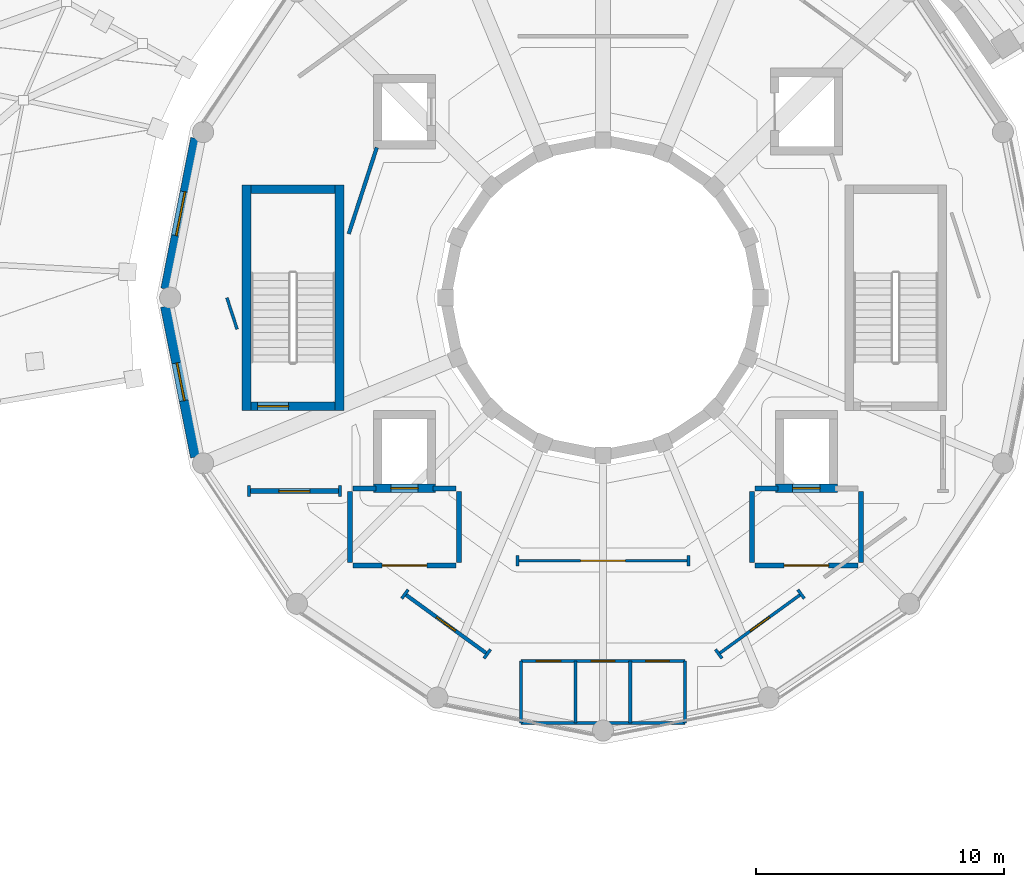
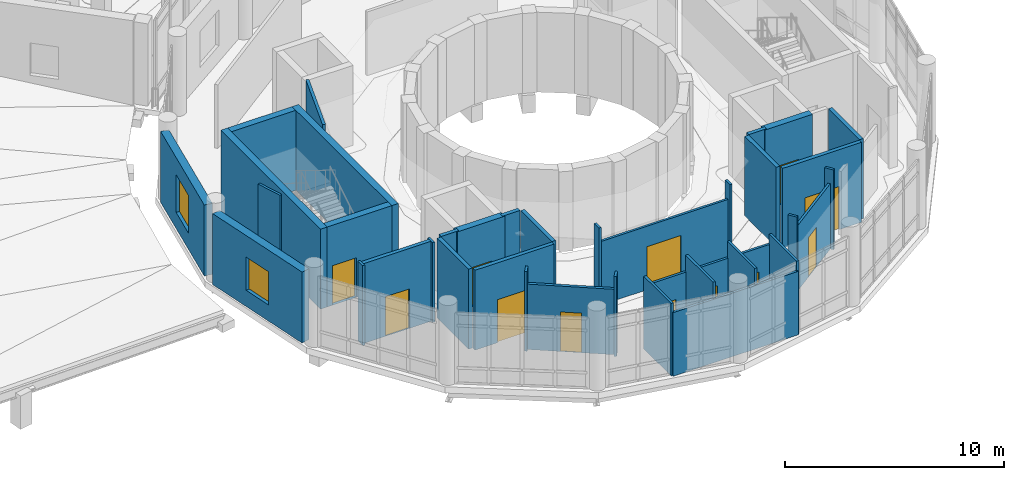
# One storey, part 32 of 49: 37 walls, 12 doors, 2 windows, 14 openings.
"""IFC4 building model written with IfcOpenShell, lengths in metres."""

import ifcopenshell
import ifcopenshell.guid

model = None  # the IFC model being written
_history = None  # IfcOwnerHistory: only IFC2X3 demands one
_inside = {}  # id of a spatial element -> (the spatial element, [elements in it])
_under = {}  # id of a project, library or spatial element -> (it, [spatial elements below it])
_declared = {}  # id of a project -> (the project, [libraries it declares])
_typed = {}  # id of a type object -> (the type object, [elements of that type])
_made_of = {}  # id of a material, layer set ... -> (it, [elements and type objects made of it])


def new_model(schema):
    """Start an empty IFC model of exactly this schema.

    Asked for "IFC4X3", IfcOpenShell would pick the latest addendum, in which some entities
    have other attributes; the version numbers below select the first issue.
    IFC2X3 requires an IfcOwnerHistory on every rooted entity: one is made here for all.
    """
    global model, _history
    if schema == "IFC4X3":
        model = ifcopenshell.file(schema_version=(4, 3, 0, 0))
    else:
        model = ifcopenshell.file(schema=schema)
    _inside.clear()
    _under.clear()
    _declared.clear()
    _typed.clear()
    _made_of.clear()
    _history = None
    if model.schema == "IFC2X3":
        org = make("IfcOrganization", Name="unknown")
        user = make(
            "IfcPersonAndOrganization",
            ThePerson=make("IfcPerson", FamilyName="unknown"),
            TheOrganization=org,
        )
        app = make(
            "IfcApplication",
            ApplicationDeveloper=org,
            Version="unknown",
            ApplicationFullName="unknown",
            ApplicationIdentifier="unknown",
        )
        _history = make(
            "IfcOwnerHistory",
            OwningUser=user,
            OwningApplication=app,
            ChangeAction="ADDED",
            CreationDate=0,
        )
    return model


def make(cls, **values):
    """One entity of the class cls with the attributes given. An attribute that is None is left unset."""
    return model.create_entity(
        cls, **{name: value for name, value in values.items() if value is not None}
    )


def rooted(cls, **values):
    """An entity with a GlobalId (a new one), such as an element, a storey or a relation."""
    return make(cls, GlobalId=ifcopenshell.guid.new(), OwnerHistory=_history, **values)


def si_unit(unit_type, name, prefix=None):
    """IfcSIUnit, for example si_unit("LENGTHUNIT", "METRE", prefix="MILLI")."""
    return make("IfcSIUnit", UnitType=unit_type, Prefix=prefix, Name=name)


def assignment(units):
    """IfcUnitAssignment: the units of a project."""
    return None if units is None else make("IfcUnitAssignment", Units=units)


def point(xyz):
    """IfcCartesianPoint."""
    return None if xyz is None else make("IfcCartesianPoint", Coordinates=xyz)


def direction(xyz):
    """IfcDirection."""
    return None if xyz is None else make("IfcDirection", DirectionRatios=xyz)


def frame(location, z_axis=None, x_axis=None):
    """IfcAxis2Placement3D, a coordinate frame: its origin and axes. An axis left out is left unset."""
    return make(
        "IfcAxis2Placement3D",
        Location=point(location),
        Axis=direction(z_axis),
        RefDirection=direction(x_axis),
    )


def frame_2d(location, x_axis=None):
    """IfcAxis2Placement2D, a coordinate frame in the plane: its origin and x axis."""
    return make(
        "IfcAxis2Placement2D", Location=point(location), RefDirection=direction(x_axis)
    )


def origin():
    """The frame at (0, 0, 0) with its axes left unset."""
    return frame((0.0, 0.0, 0.0))


def place(relative_to, where):
    """IfcLocalPlacement: puts the frame where relative to a parent placement (None: the world)."""
    return make(
        "IfcLocalPlacement", PlacementRelTo=relative_to, RelativePlacement=where
    )


def context(
    kind, dimensions, precision=None, world=None, true_north=None, identifier=None
):
    """IfcGeometricRepresentationContext, for example the 3D "Model" context."""
    return make(
        "IfcGeometricRepresentationContext",
        ContextIdentifier=identifier,
        ContextType=kind,
        CoordinateSpaceDimension=dimensions,
        Precision=precision,
        WorldCoordinateSystem=world,
        TrueNorth=true_north,
    )


def subcontext(parent, identifier, kind, view, scale=None):
    """IfcGeometricRepresentationSubContext, for example "Body" below "Model"."""
    return make(
        "IfcGeometricRepresentationSubContext",
        ContextIdentifier=identifier,
        ContextType=kind,
        ParentContext=parent,
        TargetScale=scale,
        TargetView=view,
    )


def project(units=None, contexts=None):
    """IfcProject with its units and contexts."""
    return rooted(
        "IfcProject",
        Name="project",
        RepresentationContexts=contexts,
        UnitsInContext=assignment(units),
    )


def spatial(cls, under=None, at=None, **own):
    """A site, building, storey or space (cls), placed at a placement, below another one or the project."""
    s = rooted(cls, ObjectPlacement=at, **own)
    if under is not None:
        _under.setdefault(under.id(), (under, []))[1].append(s)
    return s


def profile(cls, at=None, kind="AREA", **sizes):
    """A parametric profile (cls). Its sizes go by their IFC names, for example OverallWidth=200.0."""
    return make(cls, ProfileType=kind, Position=at, **sizes)


def rectangle(**sizes):
    """IfcRectangleProfileDef."""
    return profile("IfcRectangleProfileDef", **sizes)


def extrude(swept, where, along, depth):
    """IfcExtrudedAreaSolid: the profile swept, set in the frame where, extruded along a direction by depth."""
    return make(
        "IfcExtrudedAreaSolid",
        SweptArea=swept,
        Position=where,
        ExtrudedDirection=direction(along),
        Depth=depth,
    )


def shape(context_of_items, identifier, shape_type, items):
    """IfcShapeRepresentation: the items that make up one representation, for example the "Body"."""
    return make(
        "IfcShapeRepresentation",
        ContextOfItems=context_of_items,
        RepresentationIdentifier=identifier,
        RepresentationType=shape_type,
        Items=items,
    )


def material(Name=None, Category=None):
    """IfcMaterial."""
    return make("IfcMaterial", Name=Name, Category=Category)


def layer(
    of_material, thickness, ventilated=None, Name=None, Category=None, Priority=None
):
    """IfcMaterialLayer: one layer of a wall or slab, of a material (None: an air gap)."""
    return make(
        "IfcMaterialLayer",
        Material=of_material,
        LayerThickness=thickness,
        IsVentilated=ventilated,
        Name=Name,
        Category=Category,
        Priority=Priority,
    )


def layer_set(layers, Name=None):
    """IfcMaterialLayerSet."""
    return make("IfcMaterialLayerSet", MaterialLayers=layers, LayerSetName=Name)


def made_of(thing, what):
    """Note that an element or type object is made of a material, layer set ...; save() writes the relation."""
    if what is not None:
        _made_of.setdefault(what.id(), (what, []))[1].append(thing)
    return thing


def type_object(cls, material=None, **own):
    """A type object (cls), such as IfcWallType, which elements share."""
    return made_of(rooted(cls, **own), material)


def element(
    cls,
    number,
    at=None,
    inside=None,
    cuts=None,
    type_object=None,
    material=None,
    context=None,
    identifier="Body",
    shape_type=None,
    held_by="IfcProductDefinitionShape",
    body=None,
    shapes=None,
    **own,
):
    """One element of the class cls, such as IfcWall. Its Tag is "e" and its number.

    at: its placement. inside: the storey or other place that contains it. cuts: it is an
    opening in that element (IfcRelVoidsElement). A single representation is given by context,
    identifier, shape_type and body (its items); several are given by shapes. held_by: the class
    of the entity that holds the representations. save() writes the other relations.
    """
    e = rooted(cls, Tag="e%d" % number, ObjectPlacement=at, **own)
    if body is not None:
        shapes = [shape(context, identifier, shape_type, body)]
    if shapes is not None:
        e.Representation = make(held_by, Representations=shapes)
    if inside is not None:
        _inside.setdefault(inside.id(), (inside, []))[1].append(e)
    if cuts is not None:
        rooted(
            "IfcRelVoidsElement", RelatingBuildingElement=cuts, RelatedOpeningElement=e
        )
    if type_object is not None:
        _typed.setdefault(type_object.id(), (type_object, []))[1].append(e)
    return made_of(e, material)


def fill(opening, filler):
    """IfcRelFillsElement: the door or window that sits in an opening."""
    return rooted(
        "IfcRelFillsElement",
        RelatingOpeningElement=opening,
        RelatedBuildingElement=filler,
    )


def aggregate(whole, parts):
    """IfcRelAggregates: a whole, such as a stair, and the parts it consists of."""
    return rooted("IfcRelAggregates", RelatingObject=whole, RelatedObjects=parts)


def save(model, path):
    """Write the relations noted so far, then the file.

    IfcRelAggregates (storeys below a building ...), IfcRelContainedInSpatialStructure (elements
    in a storey), IfcRelDefinesByType, IfcRelAssociatesMaterial and IfcRelDeclares: one each for
    every whole, place, type object, material and project.
    """
    for whole, parts in _under.values():
        aggregate(whole, parts)
    for where, things in _inside.values():
        rooted(
            "IfcRelContainedInSpatialStructure",
            RelatedElements=things,
            RelatingStructure=where,
        )
    for kind, things in _typed.values():
        rooted("IfcRelDefinesByType", RelatedObjects=things, RelatingType=kind)
    for what, things in _made_of.values():
        rooted("IfcRelAssociatesMaterial", RelatedObjects=things, RelatingMaterial=what)
    for by, libraries in _declared.values():
        rooted("IfcRelDeclares", RelatingContext=by, RelatedDefinitions=libraries)
    model.write(path)


model = new_model("IFC4")

# Units and contexts
model_context = context("Model", 3, precision=1e-05, world=origin(), true_north=direction((0.0, 1.0)))
body_context = subcontext(model_context, "Body", "Model", "MODEL_VIEW")
ifc_project = project(units=[si_unit("LENGTHUNIT", "METRE"), si_unit("AREAUNIT", "SQUARE_METRE"), si_unit("VOLUMEUNIT", "CUBIC_METRE"), si_unit("PLANEANGLEUNIT", "RADIAN"), si_unit("MASSUNIT", "GRAM", prefix="KILO")], contexts=[model_context])

# Site, building, storey
site_placement = place(None, origin())
site = spatial("IfcSite", under=ifc_project, at=site_placement, CompositionType="ELEMENT")
building_placement = place(site_placement, origin())
building = spatial("IfcBuilding", under=site, at=building_placement, Name="Soyqirgoq Riverine Aquarium", CompositionType="ELEMENT")
storey_placement = place(building_placement, frame((0.0, 0.0, 15.0)))
storey = spatial("IfcBuildingStorey", under=building, at=storey_placement, Name="L04", CompositionType="ELEMENT", Elevation=15.0)

# Wall, opening, door
ifc_material_1 = material(Name="Concrete C40/50", Category="concrete")
ifc_layer_1 = layer(ifc_material_1, 0.35009765625)
ifc_layer_set_1 = layer_set([ifc_layer_1], Name="Concrete C40/50")
wall_type_1 = type_object("IfcWallType", Name="CoreShearWall_350_C40", PredefinedType="SHEAR", material=ifc_layer_set_1)
wall_1_placement = place(storey_placement, frame((62.945068359375, 49.320068359375, 0.0), z_axis=(0.0, 0.0, 1.0), x_axis=(1.0, 0.0, 0.0)))
wall_1 = element("IfcWall", 1, at=wall_1_placement, inside=storey, type_object=wall_type_1, Name="Lift FFL-1 Shaft Wall L04 1", PredefinedType="SHEAR", context=body_context, shape_type="SweptSolid", body=[
    extrude(rectangle(XDim=2.510009765625, YDim=0.35009765625, at=frame_2d((1.2548828125, 0.0))), origin(), (0.0, 0.0, 1.0), 4.449951171875),
])
opening_1_placement = place(wall_1_placement, frame((0.705078125, 0.0, 0.0)))
opening_1 = element("IfcOpeningElement", 2, at=opening_1_placement, cuts=wall_1, Name="Opening LD-01", PredefinedType="OPENING", context=body_context, shape_type="SweptSolid", body=[
    extrude(rectangle(XDim=1.10009765625, YDim=2.199951171875, at=frame_2d((0.550048828125, 1.10009765625))), frame((0.0, 0.18505859375, 0.0), z_axis=(0.0, -1.0, 0.0), x_axis=(1.0, 0.0, 0.0)), (0.0, 0.0, 1.0), 0.3701171875),
])
ifc_material_2 = material(Name="Brushed stainless steel telescopic lift landing door", Category="steel")
door_type_1 = type_object("IfcDoorType", Name="LiftLandingDoor_1100x2200", OperationType="SLIDING_TO_LEFT", PredefinedType="DOOR", material=ifc_material_2)
door_1_placement = place(opening_1_placement, origin())
door_1 = element("IfcDoor", 3, at=door_1_placement, inside=storey, type_object=door_type_1, Name="LD-FFL-1-L04 Lift FFL-1 L04 Sliding Landing Door", OperationType="SLIDING_TO_LEFT", OverallHeight=2.199951171875, OverallWidth=1.10009765625, PredefinedType="DOOR", context=body_context, shape_type="SweptSolid", body=[
    extrude(rectangle(XDim=1.10009765625, YDim=2.199951171875, at=frame_2d((0.550048828125, 1.10009765625))), frame((0.0, 0.02490234375, 0.0), z_axis=(0.0, -1.0, 0.0), x_axis=(1.0, 0.0, 0.0)), (0.0, 0.0, 1.0), 0.050048828125),
])
fill(opening_1, door_1)

# Walls
wall_2_placement = place(storey_placement, frame((45.375, 52.449951171875, 0.0), z_axis=(0.0, 0.0, 1.0), x_axis=(0.0, 1.0, 0.0)))
element("IfcWall", 4, at=wall_2_placement, inside=storey, type_object=wall_type_1, Name="CORE-1B L04 Stair Core Shear Wall SIDE1", PredefinedType="SHEAR", context=body_context, shape_type="SweptSolid", body=[
    extrude(rectangle(XDim=9.10009765625, YDim=0.35009765625, at=frame_2d((4.550048828125, 0.0))), origin(), (0.0, 0.0, 1.0), 4.449951171875),
])
wall_3_placement = place(storey_placement, frame((45.199951171875, 61.375, 0.0), z_axis=(0.0, 0.0, 1.0), x_axis=(-1.0, 0.0, 0.0)))
element("IfcWall", 5, at=wall_3_placement, inside=storey, type_object=wall_type_1, Name="CORE-1B L04 Stair Core Shear Wall BACK", PredefinedType="SHEAR", context=body_context, shape_type="SweptSolid", body=[
    extrude(rectangle(XDim=3.39990234375, YDim=0.35009765625, at=frame_2d((1.699951171875, 0.0))), origin(), (0.0, 0.0, 1.0), 4.449951171875),
])
wall_4_placement = place(storey_placement, frame((41.625, 61.550048828125, 0.0), z_axis=(0.0, 0.0, 1.0), x_axis=(0.0, -1.0, 0.0)))
element("IfcWall", 6, at=wall_4_placement, inside=storey, type_object=wall_type_1, Name="CORE-1B L04 Stair Core Shear Wall SIDE2", PredefinedType="SHEAR", context=body_context, shape_type="SweptSolid", body=[
    extrude(rectangle(XDim=9.10009765625, YDim=0.35009765625, at=frame_2d((4.550048828125, 0.0))), origin(), (0.0, 0.0, 1.0), 4.449951171875),
])

# Wall, opening, door
wall_5_placement = place(storey_placement, frame((41.800048828125, 52.625, 0.0), z_axis=(0.0, 0.0, 1.0), x_axis=(1.0, 0.0, 0.0)))
wall_5 = element("IfcWall", 7, at=wall_5_placement, inside=storey, type_object=wall_type_1, Name="CORE-1B L04 Stair Core Shear Wall FRONT", PredefinedType="SHEAR", context=body_context, shape_type="SweptSolid", body=[
    extrude(rectangle(XDim=3.39990234375, YDim=0.35009765625, at=frame_2d((1.699951171875, 0.0))), origin(), (0.0, 0.0, 1.0), 4.449951171875),
])
opening_2_placement = place(wall_5_placement, frame((0.280029296875, 0.0, 0.0)))
opening_2 = element("IfcOpeningElement", 8, at=opening_2_placement, cuts=wall_5, Name="Opening FD-01", PredefinedType="OPENING", context=body_context, shape_type="SweptSolid", body=[
    extrude(rectangle(XDim=1.25, YDim=2.199951171875, at=frame_2d((0.625, 1.10009765625))), frame((0.0, 0.18505859375, 0.0), z_axis=(0.0, -1.0, 0.0), x_axis=(1.0, 0.0, 0.0)), (0.0, 0.0, 1.0), 0.3701171875),
])
ifc_material_3 = material(Name="Galvanised steel fire-resisting stair door", Category="steel")
door_type_2 = type_object("IfcDoorType", Name="StairFireDoor_1250x2200_EI90", OperationType="NOTDEFINED", PredefinedType="DOOR", material=ifc_material_3)
door_2_placement = place(opening_2_placement, origin())
door_2 = element("IfcDoor", 9, at=door_2_placement, inside=storey, type_object=door_type_2, Name="DR-ST-9-L04 ST-9 L04 Fire-Rated Stairwell Door", OperationType="SINGLE_SWING_LEFT", OverallHeight=2.199951171875, OverallWidth=1.25, PredefinedType="DOOR", context=body_context, shape_type="SweptSolid", body=[
    extrude(rectangle(XDim=1.25, YDim=2.199951171875, at=frame_2d((0.625, 1.10009765625))), frame((0.0, 0.02490234375, 0.0), z_axis=(0.0, -1.0, 0.0), x_axis=(1.0, 0.0, 0.0)), (0.0, 0.0, 1.0), 0.050048828125),
])
fill(opening_2, door_2)

wall_6_placement = place(storey_placement, frame((46.7451171875, 49.320068359375, 0.0), z_axis=(0.0, 0.0, 1.0), x_axis=(1.0, 0.0, 0.0)))
wall_6 = element("IfcWall", 10, at=wall_6_placement, inside=storey, type_object=wall_type_1, Name="Lift FFL-2 Shaft Wall L04 1", PredefinedType="SHEAR", context=body_context, shape_type="SweptSolid", body=[
    extrude(rectangle(XDim=2.509765625, YDim=0.35009765625, at=frame_2d((1.2548828125, 0.0))), origin(), (0.0, 0.0, 1.0), 4.449951171875),
])
opening_3_placement = place(wall_6_placement, frame((0.705078125, 0.0, 0.0)))
opening_3 = element("IfcOpeningElement", 11, at=opening_3_placement, cuts=wall_6, Name="Opening LD-01", PredefinedType="OPENING", context=body_context, shape_type="SweptSolid", body=[
    extrude(rectangle(XDim=1.10009765625, YDim=2.199951171875, at=frame_2d((0.550048828125, 1.10009765625))), frame((0.0, 0.18505859375, 0.0), z_axis=(0.0, -1.0, 0.0), x_axis=(1.0, 0.0, 0.0)), (0.0, 0.0, 1.0), 0.3701171875),
])
door_3_placement = place(opening_3_placement, origin())
door_3 = element("IfcDoor", 12, at=door_3_placement, inside=storey, type_object=door_type_1, Name="LD-FFL-2-L04 Lift FFL-2 L04 Sliding Landing Door", OperationType="SLIDING_TO_LEFT", OverallHeight=2.199951171875, OverallWidth=1.10009765625, PredefinedType="DOOR", context=body_context, shape_type="SweptSolid", body=[
    extrude(rectangle(XDim=1.10009765625, YDim=2.199951171875, at=frame_2d((0.550048828125, 1.10009765625))), frame((0.0, 0.02490234375, 0.0), z_axis=(0.0, -1.0, 0.0), x_axis=(1.0, 0.0, 0.0)), (0.0, 0.0, 1.0), 0.050048828125),
])
fill(opening_3, door_3)

ifc_material_4 = material(Name="Lightweight steel-stud gypsum partition", Category="steel")
ifc_layer_2 = layer(ifc_material_4, 0.1201171875)
ifc_layer_set_2 = layer_set([ifc_layer_2], Name="Lightweight steel-stud gypsum partition")
wall_type_2 = type_object("IfcWallType", Name="PartitionWall_120_Std", PredefinedType="PARTITIONING", material=ifc_layer_set_2)
wall_7_placement = place(storey_placement, frame((59.445556640625, 46.395751953125, 0.0), z_axis=(0.0, 0.0, 1.0), x_axis=(-1.0, 0.0, 0.0)))
wall_7 = element("IfcWall", 13, at=wall_7_placement, inside=storey, type_object=wall_type_2, Name="Ocean Drum Circulation Corridor Partition Wall", PredefinedType="PARTITIONING", context=body_context, shape_type="SweptSolid", body=[
    extrude(rectangle(XDim=6.89111328125, YDim=0.1201171875, at=frame_2d((3.445556640625, 0.0))), origin(), (0.0, 0.0, 1.0), 3.5400390625),
])
opening_4_placement = place(wall_7_placement, frame((2.54541015625, 0.0, 0.0)))
opening_4 = element("IfcOpeningElement", 14, at=opening_4_placement, cuts=wall_7, Name="Opening ID-01", PredefinedType="OPENING", context=body_context, shape_type="SweptSolid", body=[
    extrude(rectangle(XDim=1.800048828125, YDim=2.39990234375, at=frame_2d((0.89990234375, 1.199951171875))), frame((0.0, 0.070068359375, 0.0), z_axis=(0.0, -1.0, 0.0), x_axis=(1.0, 0.0, 0.0)), (0.0, 0.0, 1.0), 0.14013671875),
])
ifc_material_5 = material(Name="Acoustic timber-framed glazed gallery double door", Category="wood")
door_type_3 = type_object("IfcDoorType", Name="GalleryDoubleDoor_1800x2400", OperationType="DOUBLE_DOOR_SINGLE_SWING", PredefinedType="DOOR", material=ifc_material_5)
door_4_placement = place(opening_4_placement, origin())
door_4 = element("IfcDoor", 15, at=door_4_placement, inside=storey, type_object=door_type_3, Name="IDR-V1-L04-0048 Deep Reef Viewing Gallery Door", OperationType="DOUBLE_DOOR_SINGLE_SWING", OverallHeight=2.39990234375, OverallWidth=1.800048828125, PredefinedType="DOOR", context=body_context, shape_type="SweptSolid", body=[
    extrude(rectangle(XDim=1.800048828125, YDim=2.39990234375, at=frame_2d((0.89990234375, 1.199951171875))), frame((0.0, 0.02490234375, 0.0), z_axis=(0.0, -1.0, 0.0), x_axis=(1.0, 0.0, 0.0)), (0.0, 0.0, 1.0), 0.050048828125),
])
fill(opening_4, door_4)

wall_8_placement = place(storey_placement, frame((60.666259765625, 42.638916015625, 0.0), z_axis=(0.0, 0.0, 1.0), x_axis=(0.808993389874, 0.587817739729, 0.0)))
wall_8 = element("IfcWall", 16, at=wall_8_placement, inside=storey, type_object=wall_type_2, Name="Ocean Drum Circulation Corridor Partition Wall", PredefinedType="PARTITIONING", context=body_context, shape_type="SweptSolid", body=[
    extrude(rectangle(XDim=4.101806640625, YDim=0.1201171875, at=frame_2d((2.05078125, 0.0))), origin(), (0.0, 0.0, 1.0), 3.639892578125),
])
opening_5_placement = place(wall_8_placement, frame((1.575927734375, 0.0, 0.0)))
opening_5 = element("IfcOpeningElement", 17, at=opening_5_placement, cuts=wall_8, Name="Opening ID-06", PredefinedType="OPENING", context=body_context, shape_type="SweptSolid", body=[
    extrude(rectangle(XDim=0.949951171875, YDim=2.199951171875, at=frame_2d((0.47509765625, 1.10009765625))), frame((0.0, 0.070068359375, 0.0), z_axis=(0.0, -1.0, 0.0), x_axis=(1.0, 0.0, 0.0)), (0.0, 0.0, 1.0), 0.14013671875),
])
ifc_material_6 = material(Name="Moisture-resistant HPL washroom door", Category="wood")
door_type_4 = type_object("IfcDoorType", Name="WCDoor_950x2200", OperationType="NOTDEFINED", PredefinedType="DOOR", material=ifc_material_6)
door_5_placement = place(opening_5_placement, origin())
door_5 = element("IfcDoor", 18, at=door_5_placement, inside=storey, type_object=door_type_4, Name="IDR-V1-L04-0050 Ocean Drum Circulation Corridor Access Door", OperationType="SINGLE_SWING_LEFT", OverallHeight=2.199951171875, OverallWidth=0.949951171875, PredefinedType="DOOR", context=body_context, shape_type="SweptSolid", body=[
    extrude(rectangle(XDim=0.949951171875, YDim=2.199951171875, at=frame_2d((0.47509765625, 1.10009765625))), frame((0.0, 0.02490234375, 0.0), z_axis=(0.0, -1.0, 0.0), x_axis=(1.0, 0.0, 0.0)), (0.0, 0.0, 1.0), 0.050048828125),
])
fill(opening_5, door_5)

# Walls
wall_9_placement = place(storey_placement, frame((41.25, 55.728515625, 0.0), z_axis=(0.0, 0.0, 1.0), x_axis=(-0.30898696848, 0.951066271776, 0.0)))
element("IfcWall", 19, at=wall_9_placement, inside=storey, type_object=wall_type_2, Name="Ocean Tank Upper Panorama Hall Partition Wall", PredefinedType="PARTITIONING", context=body_context, shape_type="SweptSolid", body=[
    extrude(rectangle(XDim=1.3369140625, YDim=0.1201171875, at=frame_2d((0.66845703125, 0.0))), origin(), (0.0, 0.0, 1.0), 4.449951171875),
])
for number, where, z_axis, x_axis, name in (
    (20, (41.723388671875, 48.97998046875, 0.0), (0.0, 0.0, 1.0), (0.0, 1.0, 0.0), "V1 L04 Jamb Return Pier"),
    (21, (45.39990234375, 48.97998046875, 0.0), (0.0, 0.0, 1.0), (0.0, 1.0, 0.0), "V1 L04 Jamb Return Pier"),
    (22, (59.445556640625, 46.61572265625, 0.0), (0.0, 0.0, 1.0), (0.0, -1.0, 0.0), "V1 L04 Jamb Return Pier"),
    (23, (52.554443359375, 46.61572265625, 0.0), (0.0, 0.0, 1.0), (0.0, -1.0, 0.0), "V1 L04 Jamb Return Pier"),
    (24, (47.885986328125, 44.8720703125, 0.0), (0.0, 0.0, 1.0), (0.587676645097, 0.809095890984, 0.0), "V1 L04 Jamb Return Pier"),
    (25, (51.20458984375, 42.4609375, 0.0), (0.0, 0.0, 1.0), (0.587676645097, 0.809095890984, 0.0), "V1 L04 Jamb Return Pier"),
    (26, (60.79541015625, 42.4609375, 0.0), (0.0, 0.0, 1.0), (-0.587676645097, 0.809095890984, 0.0), "V1 L04 Jamb Return Pier"),
    (27, (64.114013671875, 44.8720703125, 0.0), (0.0, 0.0, 1.0), (-0.587676645097, 0.809095890984, 0.0), "V1 L04 Jamb Return Pier"),
):
    element("IfcWall", number, at=place(storey_placement, frame(where, z_axis=z_axis, x_axis=x_axis)), inside=storey, type_object=wall_type_2, Name=name, PredefinedType="PARTITIONING", context=body_context, shape_type="SweptSolid", body=[
        extrude(rectangle(XDim=0.43994140625, YDim=0.1201171875, at=frame_2d((0.219970703125, 0.0))), origin(), (0.0, 0.0, 1.0), 4.449951171875),
    ])

# Wall, openings, doors
ifc_material_7 = material(Name="Moisture-resistant cement-board wet-room partition", Category="gypsum")
ifc_layer_3 = layer(ifc_material_7, 0.125)
ifc_layer_set_3 = layer_set([ifc_layer_3], Name="Moisture-resistant cement-board wet-room partition")
wall_type_3 = type_object("IfcWallType", Name="PartitionWall_125_Wet", PredefinedType="PARTITIONING", material=ifc_layer_set_3)
wall_10_placement = place(storey_placement, frame((52.699951171875, 42.35009765625, 0.0), z_axis=(0.0, 0.0, 1.0), x_axis=(1.0, 0.0, 0.0)))
wall_10 = element("IfcWall", 28, at=wall_10_placement, inside=storey, type_object=wall_type_3, Name="V1 L04 WC Suite Front Wall", PredefinedType="PARTITIONING", context=body_context, shape_type="SweptSolid", body=[
    extrude(rectangle(XDim=6.60009765625, YDim=0.125, at=frame_2d((3.300048828125, 0.0))), origin(), (0.0, 0.0, 1.0), 3.5400390625),
])
opening_6_placement = place(wall_10_placement, frame((0.60009765625, 0.0, 0.0)))
opening_6 = element("IfcOpeningElement", 29, at=opening_6_placement, cuts=wall_10, Name="Opening ID-05", PredefinedType="OPENING", context=body_context, shape_type="SweptSolid", body=[
    extrude(rectangle(XDim=1.0, YDim=2.199951171875, at=frame_2d((0.5, 1.10009765625))), frame((0.0, 0.072509765625, 0.0), z_axis=(0.0, -1.0, 0.0), x_axis=(1.0, 0.0, 0.0)), (0.0, 0.0, 1.0), 0.14501953125),
])
opening_7_placement = place(wall_10_placement, frame((2.824951171875, 0.0, 0.0)))
opening_7 = element("IfcOpeningElement", 30, at=opening_7_placement, cuts=wall_10, Name="Opening ID-06", PredefinedType="OPENING", context=body_context, shape_type="SweptSolid", body=[
    extrude(rectangle(XDim=0.949951171875, YDim=2.199951171875, at=frame_2d((0.47509765625, 1.10009765625))), frame((0.0, 0.072509765625, 0.0), z_axis=(0.0, -1.0, 0.0), x_axis=(1.0, 0.0, 0.0)), (0.0, 0.0, 1.0), 0.14501953125),
])
opening_8_placement = place(wall_10_placement, frame((5.02490234375, 0.0, 0.0)))
opening_8 = element("IfcOpeningElement", 31, at=opening_8_placement, cuts=wall_10, Name="Opening ID-06", PredefinedType="OPENING", context=body_context, shape_type="SweptSolid", body=[
    extrude(rectangle(XDim=0.949951171875, YDim=2.199951171875, at=frame_2d((0.47509765625, 1.10009765625))), frame((0.0, 0.072509765625, 0.0), z_axis=(0.0, -1.0, 0.0), x_axis=(1.0, 0.0, 0.0)), (0.0, 0.0, 1.0), 0.14501953125),
])
ifc_material_8 = material(Name="Moisture-resistant HPL accessible washroom door", Category="wood")
door_type_5 = type_object("IfcDoorType", Name="AccessibleWCDoor_1000x2200", OperationType="NOTDEFINED", PredefinedType="DOOR", material=ifc_material_8)
door_6_placement = place(opening_6_placement, origin())
door_6 = element("IfcDoor", 32, at=door_6_placement, inside=storey, type_object=door_type_5, Name="IDR-V1-L04-0043 Accessible WC Door", OperationType="SINGLE_SWING_LEFT", OverallHeight=2.199951171875, OverallWidth=1.0, PredefinedType="DOOR", context=body_context, shape_type="SweptSolid", body=[
    extrude(rectangle(XDim=1.0, YDim=2.199951171875, at=frame_2d((0.5, 1.10009765625))), frame((0.0, 0.02490234375, 0.0), z_axis=(0.0, -1.0, 0.0), x_axis=(1.0, 0.0, 0.0)), (0.0, 0.0, 1.0), 0.050048828125),
])
fill(opening_6, door_6)
door_7_placement = place(opening_7_placement, origin())
door_7 = element("IfcDoor", 33, at=door_7_placement, inside=storey, type_object=door_type_4, Name="IDR-V1-L04-0044 Public Female WC Door", OperationType="SINGLE_SWING_RIGHT", OverallHeight=2.199951171875, OverallWidth=0.949951171875, PredefinedType="DOOR", context=body_context, shape_type="SweptSolid", body=[
    extrude(rectangle(XDim=0.949951171875, YDim=2.199951171875, at=frame_2d((0.47509765625, 1.10009765625))), frame((0.0, 0.02490234375, 0.0), z_axis=(0.0, -1.0, 0.0), x_axis=(1.0, 0.0, 0.0)), (0.0, 0.0, 1.0), 0.050048828125),
])
fill(opening_7, door_7)
door_8_placement = place(opening_8_placement, origin())
door_8 = element("IfcDoor", 34, at=door_8_placement, inside=storey, type_object=door_type_4, Name="IDR-V1-L04-0045 Public Male WC Door", OperationType="SINGLE_SWING_LEFT", OverallHeight=2.199951171875, OverallWidth=0.949951171875, PredefinedType="DOOR", context=body_context, shape_type="SweptSolid", body=[
    extrude(rectangle(XDim=0.949951171875, YDim=2.199951171875, at=frame_2d((0.47509765625, 1.10009765625))), frame((0.0, 0.02490234375, 0.0), z_axis=(0.0, -1.0, 0.0), x_axis=(1.0, 0.0, 0.0)), (0.0, 0.0, 1.0), 0.050048828125),
])
fill(opening_8, door_8)

# Walls
wall_11_placement = place(storey_placement, frame((52.699951171875, 39.85009765625, 0.0), z_axis=(0.0, 0.0, 1.0), x_axis=(1.0, 0.0, 0.0)))
element("IfcWall", 35, at=wall_11_placement, inside=storey, type_object=wall_type_3, Name="V1 L04 WC Suite Back Wall", PredefinedType="PARTITIONING", context=body_context, shape_type="SweptSolid", body=[
    extrude(rectangle(XDim=6.60009765625, YDim=0.125, at=frame_2d((3.300048828125, 0.0))), origin(), (0.0, 0.0, 1.0), 3.5400390625),
])
wall_12_placement = place(storey_placement, frame((52.699951171875, 39.85009765625, 0.0), z_axis=(0.0, 0.0, 1.0), x_axis=(0.0, 1.0, 0.0)))
element("IfcWall", 36, at=wall_12_placement, inside=storey, type_object=wall_type_3, Name="V1 L04 WC Suite West Wall", PredefinedType="PARTITIONING", context=body_context, shape_type="SweptSolid", body=[
    extrude(rectangle(XDim=2.5, YDim=0.125, at=frame_2d((1.25, 0.0))), origin(), (0.0, 0.0, 1.0), 4.0400390625),
])
wall_13_placement = place(storey_placement, frame((59.300048828125, 39.85009765625, 0.0), z_axis=(0.0, 0.0, 1.0), x_axis=(0.0, 1.0, 0.0)))
element("IfcWall", 37, at=wall_13_placement, inside=storey, type_object=wall_type_3, Name="V1 L04 WC Suite East Wall", PredefinedType="PARTITIONING", context=body_context, shape_type="SweptSolid", body=[
    extrude(rectangle(XDim=2.5, YDim=0.125, at=frame_2d((1.25, 0.0))), origin(), (0.0, 0.0, 1.0), 4.080078125),
])
for number, where, z_axis, x_axis, name in (
    (38, (54.89990234375, 39.85009765625, 0.0), (0.0, 0.0, 1.0), (0.0, 1.0, 0.0), "V1 L04 WC Cubicle Divider 1"),
    (39, (57.10009765625, 39.85009765625, 0.0), (0.0, 0.0, 1.0), (0.0, 1.0, 0.0), "V1 L04 WC Cubicle Divider 2"),
):
    element("IfcWall", number, at=place(storey_placement, frame(where, z_axis=z_axis, x_axis=x_axis)), inside=storey, type_object=wall_type_3, Name=name, PredefinedType="PARTITIONING", context=body_context, shape_type="SweptSolid", body=[
        extrude(rectangle(XDim=2.5, YDim=0.125, at=frame_2d((1.25, 0.0))), origin(), (0.0, 0.0, 1.0), 4.449951171875),
    ])

# Wall, opening, door
ifc_material_9 = material(Name="Acoustic mineral-wool twin-stud partition", Category="gypsum")
ifc_layer_4 = layer(ifc_material_9, 0.14990234375)
ifc_layer_set_4 = layer_set([ifc_layer_4], Name="Acoustic mineral-wool twin-stud partition")
wall_type_4 = type_object("IfcWallType", Name="PartitionWall_150_Acoustic", PredefinedType="PARTITIONING", material=ifc_layer_set_4)
wall_14_placement = place(storey_placement, frame((48.015380859375, 45.050048828125, 0.0), z_axis=(0.0, 0.0, 1.0), x_axis=(0.808993389874, -0.587817739729, 0.0)))
wall_14 = element("IfcWall", 40, at=wall_14_placement, inside=storey, type_object=wall_type_4, Name="Ocean Drum Circulation Corridor Partition Wall", PredefinedType="PARTITIONING", context=body_context, shape_type="SweptSolid", body=[
    extrude(rectangle(XDim=4.101806640625, YDim=0.14990234375, at=frame_2d((2.05078125, 0.0))), origin(), (0.0, 0.0, 1.0), 3.639892578125),
])
opening_9_placement = place(wall_14_placement, frame((1.575927734375, 0.0, 0.0)))
opening_9 = element("IfcOpeningElement", 41, at=opening_9_placement, cuts=wall_14, Name="Opening ID-06", PredefinedType="OPENING", context=body_context, shape_type="SweptSolid", body=[
    extrude(rectangle(XDim=0.949951171875, YDim=2.199951171875, at=frame_2d((0.47509765625, 1.10009765625))), frame((0.0, 0.0849609375, 0.0), z_axis=(0.0, -1.0, 0.0), x_axis=(1.0, 0.0, 0.0)), (0.0, 0.0, 1.0), 0.169921875),
])
door_9_placement = place(opening_9_placement, origin())
door_9 = element("IfcDoor", 42, at=door_9_placement, inside=storey, type_object=door_type_4, Name="IDR-V1-L04-0051 Ocean Tank Upper Panorama Hall Access Door", OperationType="SINGLE_SWING_RIGHT", OverallHeight=2.199951171875, OverallWidth=0.949951171875, PredefinedType="DOOR", context=body_context, shape_type="SweptSolid", body=[
    extrude(rectangle(XDim=0.949951171875, YDim=2.199951171875, at=frame_2d((0.47509765625, 1.10009765625))), frame((0.0, 0.02490234375, 0.0), z_axis=(0.0, -1.0, 0.0), x_axis=(1.0, 0.0, 0.0)), (0.0, 0.0, 1.0), 0.050048828125),
])
fill(opening_9, door_9)

# Wall
wall_15_placement = place(storey_placement, frame((46.880859375, 63.055908203125, 0.0), z_axis=(0.0, 0.0, 1.0), x_axis=(-0.3090332715, -0.951051227383, 0.0)))
element("IfcWall", 43, at=wall_15_placement, inside=storey, type_object=wall_type_4, Name="Deep Reef Viewing Gallery Partition Wall", PredefinedType="PARTITIONING", context=body_context, shape_type="SweptSolid", body=[
    extrude(rectangle(XDim=3.659423828125, YDim=0.14990234375, at=frame_2d((1.82958984375, 0.0))), origin(), (0.0, 0.0, 1.0), 4.449951171875),
])

# Wall, opening, door
ifc_material_10 = material(Name="Fire-rated calcium silicate twin-stud partition", Category="gypsum")
ifc_layer_5 = layer(ifc_material_10, 0.199951171875)
ifc_layer_set_5 = layer_set([ifc_layer_5], Name="Fire-rated calcium silicate twin-stud partition")
wall_type_5 = type_object("IfcWallType", Name="PartitionWall_200_EI90", PredefinedType="PARTITIONING", material=ifc_layer_set_5)
wall_16_placement = place(storey_placement, frame((62.1201171875, 46.199951171875, 0.0), z_axis=(0.0, 0.0, 1.0), x_axis=(1.0, 0.0, 0.0)))
wall_16 = element("IfcWall", 44, at=wall_16_placement, inside=storey, type_object=wall_type_5, Name="CORE-1 L04 Firefighting Lobby South Enclosure Wall", PredefinedType="PARTITIONING", context=body_context, shape_type="SweptSolid", body=[
    extrude(rectangle(XDim=4.159912109375, YDim=0.199951171875, at=frame_2d((2.080078125, 0.0))), origin(), (0.0, 0.0, 1.0), 4.449951171875),
])
opening_10_placement = place(wall_16_placement, frame((1.179931640625, 0.0, 0.0)))
opening_10 = element("IfcOpeningElement", 45, at=opening_10_placement, cuts=wall_16, Name="Opening FD-02", PredefinedType="OPENING", context=body_context, shape_type="SweptSolid", body=[
    extrude(rectangle(XDim=1.800048828125, YDim=2.39990234375, at=frame_2d((0.89990234375, 1.199951171875))), frame((0.0, 0.10986328125, 0.0), z_axis=(0.0, -1.0, 0.0), x_axis=(1.0, 0.0, 0.0)), (0.0, 0.0, 1.0), 0.219970703125),
])
ifc_material_11 = material(Name="Glazed steel fire-resisting corridor double door", Category="steel")
door_type_6 = type_object("IfcDoorType", Name="LobbyFireDoor_1800x2400_EI60", OperationType="DOUBLE_DOOR_SINGLE_SWING", PredefinedType="DOOR", material=ifc_material_11)
door_10_placement = place(opening_10_placement, origin())
door_10 = element("IfcDoor", 46, at=door_10_placement, inside=storey, type_object=door_type_6, Name="DR-FFL-CORE-1-L04 CORE-1 L04 Firefighting Lobby Fire Door", OperationType="DOUBLE_DOOR_SINGLE_SWING", OverallHeight=2.39990234375, OverallWidth=1.800048828125, PredefinedType="DOOR", context=body_context, shape_type="SweptSolid", body=[
    extrude(rectangle(XDim=1.800048828125, YDim=2.39990234375, at=frame_2d((0.89990234375, 1.199951171875))), frame((0.0, 0.02490234375, 0.0), z_axis=(0.0, -1.0, 0.0), x_axis=(1.0, 0.0, 0.0)), (0.0, 0.0, 1.0), 0.050048828125),
])
fill(opening_10, door_10)

# Walls
for number, where, z_axis, x_axis, name in (
    (47, (62.0, 46.320068359375, 0.0), (0.0, 0.0, 1.0), (0.0, 1.0, 0.0), "CORE-1 L04 Firefighting Lobby W Wall"),
    (48, (66.39990234375, 46.320068359375, 0.0), (0.0, 0.0, 1.0), (0.0, 1.0, 0.0), "CORE-1 L04 Firefighting Lobby E Wall"),
):
    element("IfcWall", number, at=place(storey_placement, frame(where, z_axis=z_axis, x_axis=x_axis)), inside=storey, type_object=wall_type_5, Name=name, PredefinedType="PARTITIONING", context=body_context, shape_type="SweptSolid", body=[
        extrude(rectangle(XDim=2.85986328125, YDim=0.199951171875, at=frame_2d((1.429931640625, 0.0))), origin(), (0.0, 0.0, 1.0), 4.449951171875),
    ])
wall_17_placement = place(storey_placement, frame((62.1201171875, 49.300048828125, 0.0), z_axis=(0.0, 0.0, 1.0), x_axis=(1.0, 0.0, 0.0)))
element("IfcWall", 49, at=wall_17_placement, inside=storey, type_object=wall_type_5, Name="CORE-1 L04 Firefighting Lobby NL Wall", PredefinedType="PARTITIONING", context=body_context, shape_type="SweptSolid", body=[
    extrude(rectangle(XDim=0.929931640625, YDim=0.199951171875, at=frame_2d((0.46484375, 0.0))), origin(), (0.0, 0.0, 1.0), 4.449951171875),
])

# Wall, opening, door
wall_18_placement = place(storey_placement, frame((45.919921875, 46.199951171875, 0.0), z_axis=(0.0, 0.0, 1.0), x_axis=(1.0, 0.0, 0.0)))
wall_18 = element("IfcWall", 50, at=wall_18_placement, inside=storey, type_object=wall_type_5, Name="CORE-1B L04 Firefighting Lobby South Enclosure Wall", PredefinedType="PARTITIONING", context=body_context, shape_type="SweptSolid", body=[
    extrude(rectangle(XDim=4.16015625, YDim=0.199951171875, at=frame_2d((2.080078125, 0.0))), origin(), (0.0, 0.0, 1.0), 4.449951171875),
])
opening_11_placement = place(wall_18_placement, frame((1.179931640625, 0.0, 0.0)))
opening_11 = element("IfcOpeningElement", 51, at=opening_11_placement, cuts=wall_18, Name="Opening FD-02", PredefinedType="OPENING", context=body_context, shape_type="SweptSolid", body=[
    extrude(rectangle(XDim=1.800048828125, YDim=2.39990234375, at=frame_2d((0.89990234375, 1.199951171875))), frame((0.0, 0.10986328125, 0.0), z_axis=(0.0, -1.0, 0.0), x_axis=(1.0, 0.0, 0.0)), (0.0, 0.0, 1.0), 0.219970703125),
])
door_11_placement = place(opening_11_placement, origin())
door_11 = element("IfcDoor", 52, at=door_11_placement, inside=storey, type_object=door_type_6, Name="DR-FFL-CORE-1B-L04 CORE-1B L04 Firefighting Lobby Fire Door", OperationType="DOUBLE_DOOR_SINGLE_SWING", OverallHeight=2.39990234375, OverallWidth=1.800048828125, PredefinedType="DOOR", context=body_context, shape_type="SweptSolid", body=[
    extrude(rectangle(XDim=1.800048828125, YDim=2.39990234375, at=frame_2d((0.89990234375, 1.199951171875))), frame((0.0, 0.02490234375, 0.0), z_axis=(0.0, -1.0, 0.0), x_axis=(1.0, 0.0, 0.0)), (0.0, 0.0, 1.0), 0.050048828125),
])
fill(opening_11, door_11)

# Walls
for number, where, z_axis, x_axis, name in (
    (53, (45.800048828125, 46.320068359375, 0.0), (0.0, 0.0, 1.0), (0.0, 1.0, 0.0), "CORE-1B L04 Firefighting Lobby W Wall"),
    (54, (50.199951171875, 46.320068359375, 0.0), (0.0, 0.0, 1.0), (0.0, 1.0, 0.0), "CORE-1B L04 Firefighting Lobby E Wall"),
):
    element("IfcWall", number, at=place(storey_placement, frame(where, z_axis=z_axis, x_axis=x_axis)), inside=storey, type_object=wall_type_5, Name=name, PredefinedType="PARTITIONING", context=body_context, shape_type="SweptSolid", body=[
        extrude(rectangle(XDim=2.85986328125, YDim=0.199951171875, at=frame_2d((1.429931640625, 0.0))), origin(), (0.0, 0.0, 1.0), 4.449951171875),
    ])
for number, where, z_axis, x_axis, name in (
    (55, (45.919921875, 49.300048828125, 0.0), (0.0, 0.0, 1.0), (1.0, 0.0, 0.0), "CORE-1B L04 Firefighting Lobby NL Wall"),
    (56, (49.14990234375, 49.300048828125, 0.0), (0.0, 0.0, 1.0), (1.0, 0.0, 0.0), "CORE-1B L04 Firefighting Lobby NR Wall"),
):
    element("IfcWall", number, at=place(storey_placement, frame(where, z_axis=z_axis, x_axis=x_axis)), inside=storey, type_object=wall_type_5, Name=name, PredefinedType="PARTITIONING", context=body_context, shape_type="SweptSolid", body=[
        extrude(rectangle(XDim=0.93017578125, YDim=0.199951171875, at=frame_2d((0.465087890625, 0.0))), origin(), (0.0, 0.0, 1.0), 4.449951171875),
    ])

# Wall, opening, door
wall_19_placement = place(storey_placement, frame((41.723388671875, 49.199951171875, 0.0), z_axis=(0.0, 0.0, 1.0), x_axis=(1.0, 0.0, 0.0)))
wall_19 = element("IfcWall", 57, at=wall_19_placement, inside=storey, type_object=wall_type_5, Name="Stair Vestibule ST-9 Fire Enclosure Wall", PredefinedType="PARTITIONING", context=body_context, shape_type="SweptSolid", body=[
    extrude(rectangle(XDim=3.676513671875, YDim=0.199951171875, at=frame_2d((1.83837890625, 0.0))), origin(), (0.0, 0.0, 1.0), 4.449951171875),
])
opening_12_placement = place(wall_19_placement, frame((1.21337890625, 0.0, 0.0)))
opening_12 = element("IfcOpeningElement", 58, at=opening_12_placement, cuts=wall_19, Name="Opening FD-01", PredefinedType="OPENING", context=body_context, shape_type="SweptSolid", body=[
    extrude(rectangle(XDim=1.25, YDim=2.199951171875, at=frame_2d((0.625, 1.10009765625))), frame((0.0, 0.10986328125, 0.0), z_axis=(0.0, -1.0, 0.0), x_axis=(1.0, 0.0, 0.0)), (0.0, 0.0, 1.0), 0.219970703125),
])
door_12_placement = place(opening_12_placement, origin())
door_12 = element("IfcDoor", 59, at=door_12_placement, inside=storey, type_object=door_type_2, Name="IDR-V1-L04-0047 Stair Vestibule ST-9 Egress Fire Door", OperationType="SINGLE_SWING_LEFT", OverallHeight=2.199951171875, OverallWidth=1.25, PredefinedType="DOOR", context=body_context, shape_type="SweptSolid", body=[
    extrude(rectangle(XDim=1.25, YDim=2.199951171875, at=frame_2d((0.625, 1.10009765625))), frame((0.0, 0.02490234375, 0.0), z_axis=(0.0, -1.0, 0.0), x_axis=(1.0, 0.0, 0.0)), (0.0, 0.0, 1.0), 0.050048828125),
])
fill(opening_12, door_12)

# Wall, opening, window
ifc_material_12 = material(Name="Honed travertine limestone cavity wall", Category="masonry")
ifc_layer_6 = layer(ifc_material_12, 0.39990234375)
ifc_layer_set_6 = layer_set([ifc_layer_6], Name="Honed travertine limestone cavity wall")
wall_type_6 = type_object("IfcWallType", Name="TravertineSpandrelWall_400", PredefinedType="SOLIDWALL", material=ifc_layer_set_6)
wall_20_placement = place(storey_placement, frame((38.369873046875, 57.351318359375, 0.0), z_axis=(0.0, 0.0, 1.0), x_axis=(0.195076897252, 0.980787950659, 0.0)))
wall_20 = element("IfcWall", 60, at=wall_20_placement, inside=storey, type_object=wall_type_6, Name="V1 L04 Exterior Travertine Wall 0031", PredefinedType="SOLIDWALL", context=body_context, shape_type="SweptSolid", body=[
    extrude(rectangle(XDim=6.18994140625, YDim=0.39990234375, at=frame_2d((3.094970703125, 0.0))), origin(), (0.0, 0.0, 1.0), 3.949951171875),
])
opening_13_placement = place(wall_20_placement, frame((2.195068359375, 0.0, 0.89990234375)))
opening_13 = element("IfcOpeningElement", 61, at=opening_13_placement, cuts=wall_20, Name="Opening WN-05", PredefinedType="OPENING", context=body_context, shape_type="SweptSolid", body=[
    extrude(rectangle(XDim=1.800048828125, YDim=2.10009765625, at=frame_2d((0.89990234375, 1.050048828125))), frame((0.0, 0.2099609375, 0.0), z_axis=(0.0, -1.0, 0.0), x_axis=(1.0, 0.0, 0.0)), (0.0, 0.0, 1.0), 0.419921875),
])
ifc_material_13 = material(Name="Thermally broken aluminium triple low-E window", Category="aluminium")
window_type_1 = type_object("IfcWindowType", Name="Win_Gallery_1800x2100", PartitioningType="DOUBLE_PANEL_VERTICAL", PredefinedType="WINDOW", material=ifc_material_13)
window_1_placement = place(opening_13_placement, origin())
window_1 = element("IfcWindow", 62, at=window_1_placement, inside=storey, type_object=window_type_1, Name="V1 L04 Facade Window 0017", OverallHeight=2.10009765625, OverallWidth=1.800048828125, PartitioningType="DOUBLE_PANEL_VERTICAL", PredefinedType="WINDOW", context=body_context, shape_type="SweptSolid", body=[
    extrude(rectangle(XDim=1.800048828125, YDim=2.10009765625, at=frame_2d((0.89990234375, 1.050048828125))), frame((0.0, 0.030029296875, 0.0), z_axis=(0.0, -1.0, 0.0), x_axis=(1.0, 0.0, 0.0)), (0.0, 0.0, 1.0), 0.06005859375),
])
fill(opening_13, window_1)

ifc_material_14 = material(Name="Honed travertine limestone cavity wall", Category="masonry")
ifc_layer_7 = layer(ifc_material_14, 0.419921875)
ifc_layer_set_7 = layer_set([ifc_layer_7], Name="Honed travertine limestone cavity wall")
wall_type_7 = type_object("IfcWallType", Name="TravertineSpandrelWall_420", PredefinedType="SOLIDWALL", material=ifc_layer_set_7)
wall_21_placement = place(storey_placement, frame((39.577392578125, 50.57763671875, 0.0), z_axis=(0.0, 0.0, 1.0), x_axis=(-0.195076897252, 0.980787950659, 0.0)))
wall_21 = element("IfcWall", 63, at=wall_21_placement, inside=storey, type_object=wall_type_7, Name="V1 L04 Exterior Travertine Wall 0037", PredefinedType="SOLIDWALL", context=body_context, shape_type="SweptSolid", body=[
    extrude(rectangle(XDim=6.18994140625, YDim=0.419921875, at=frame_2d((3.094970703125, 0.0))), origin(), (0.0, 0.0, 1.0), 3.949951171875),
])
opening_14_placement = place(wall_21_placement, frame((2.320068359375, 0.0, 0.89990234375)))
opening_14 = element("IfcOpeningElement", 64, at=opening_14_placement, cuts=wall_21, Name="Opening WN-18", PredefinedType="OPENING", context=body_context, shape_type="SweptSolid", body=[
    extrude(rectangle(XDim=1.550048828125, YDim=1.85009765625, at=frame_2d((0.77490234375, 0.925048828125))), frame((0.0, 0.219970703125, 0.0), z_axis=(0.0, -1.0, 0.0), x_axis=(1.0, 0.0, 0.0)), (0.0, 0.0, 1.0), 0.43994140625),
])
ifc_material_15 = material(Name="Thermally broken aluminium triple low-E window", Category="aluminium")
window_type_2 = type_object("IfcWindowType", Name="Win_Office_1550x1850", PartitioningType="DOUBLE_PANEL_VERTICAL", PredefinedType="WINDOW", material=ifc_material_15)
window_2_placement = place(opening_14_placement, origin())
window_2 = element("IfcWindow", 65, at=window_2_placement, inside=storey, type_object=window_type_2, Name="V1 L04 Facade Window 0019", OverallHeight=1.85009765625, OverallWidth=1.550048828125, PartitioningType="DOUBLE_PANEL_VERTICAL", PredefinedType="WINDOW", context=body_context, shape_type="SweptSolid", body=[
    extrude(rectangle(XDim=1.550048828125, YDim=1.85009765625, at=frame_2d((0.77490234375, 0.925048828125))), frame((0.0, 0.030029296875, 0.0), z_axis=(0.0, -1.0, 0.0), x_axis=(1.0, 0.0, 0.0)), (0.0, 0.0, 1.0), 0.06005859375),
])
fill(opening_14, window_2)

save(model, "model.ifc")
